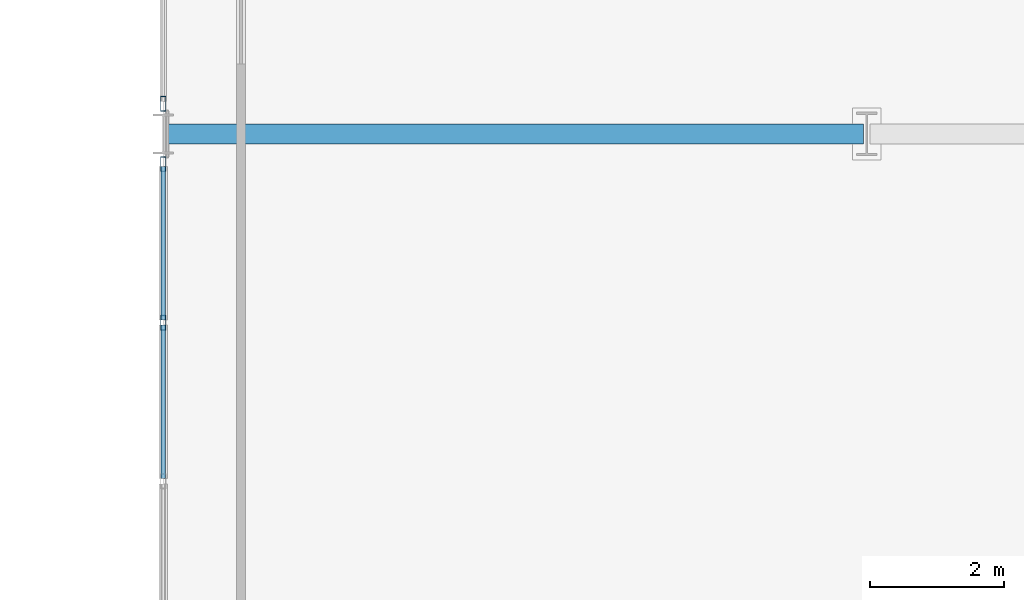
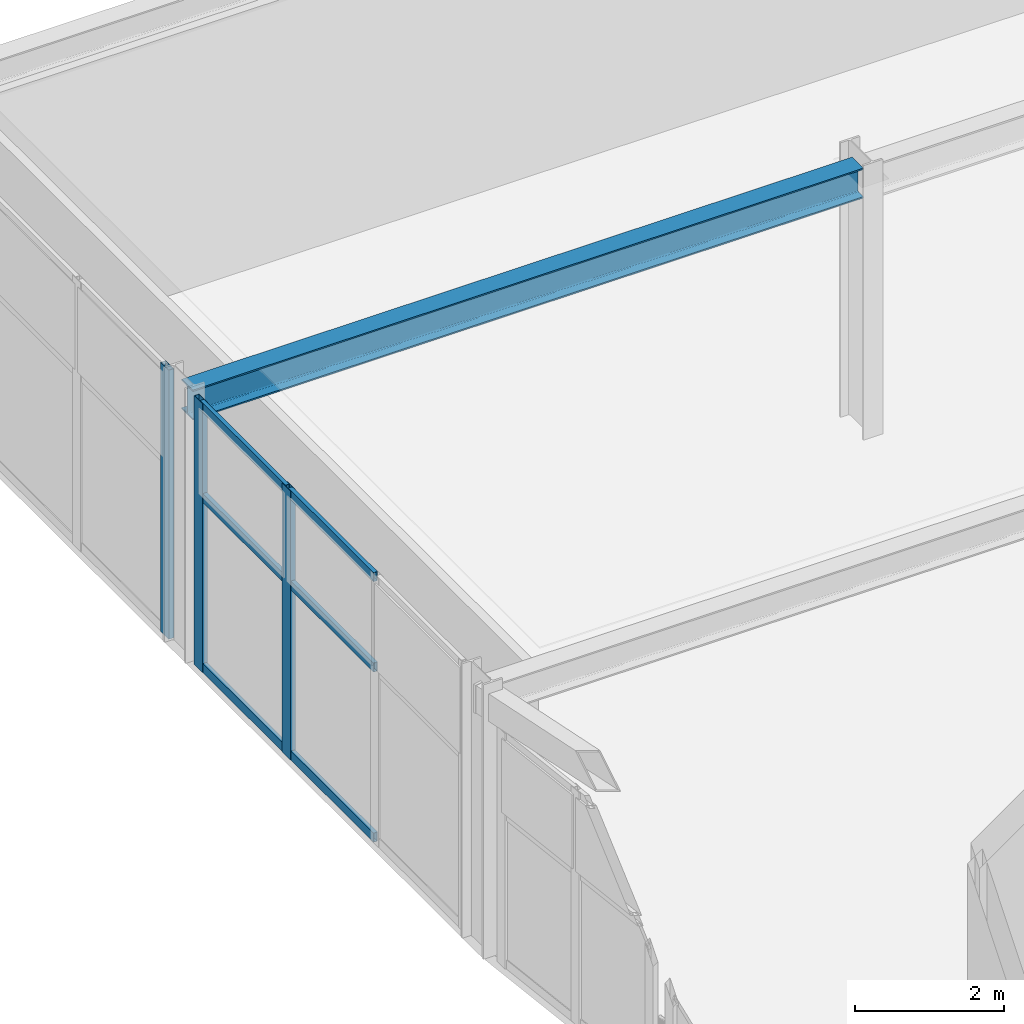
# One storey, part 16 of 105: 9 members, 1 beam, 2 elements without a shape of their own.
"""IFC4 building model written with IfcOpenShell, lengths in metres."""

from ifc_helpers import new_model, si_unit, direction, frame, origin, origin_2d, place, context, subcontext, project, spatial, hollow_rectangle, i_section, extrude, material, layer, layer_set, material_profile, profile_set, type_object, element, aggregate, save


model = new_model("IFC4")

# Units and contexts
model_context = context("Model", 3, precision=1e-05, world=origin(), true_north=direction((0.0, 1.0)))
body_context = subcontext(model_context, "Body", "Model", "MODEL_VIEW")
ifc_project = project(units=[si_unit("LENGTHUNIT", "METRE"), si_unit("AREAUNIT", "SQUARE_METRE"), si_unit("VOLUMEUNIT", "CUBIC_METRE"), si_unit("PLANEANGLEUNIT", "RADIAN"), si_unit("MASSUNIT", "GRAM", prefix="KILO")], contexts=[model_context])

# Site, building, storey
site_placement = place(None, origin())
site = spatial("IfcSite", under=ifc_project, at=site_placement, CompositionType="ELEMENT")
building_placement = place(site_placement, origin())
building = spatial("IfcBuilding", under=site, at=building_placement, Name="Marlcrest Central Station", CompositionType="ELEMENT")
storey_placement = place(building_placement, frame((0.0, 0.0, 15.0)))
storey = spatial("IfcBuildingStorey", under=building, at=storey_placement, Name="L03", CompositionType="ELEMENT", Elevation=15.0)

# Beam
ifc_material_1 = material(Name="Steel S355", Category="steel")
ifc_material_profile_1 = material_profile(ifc_material_1, i_section(OverallWidth=0.300048828125, OverallDepth=0.489990234375, WebThickness=0.011962890625, FlangeThickness=0.02294921875, FilletRadius=0.027099609375, at=origin_2d()), Name="HEA 500")
ifc_profile_set_1 = profile_set([ifc_material_profile_1], Name="Steel S355")
beam_type = type_object("IfcBeamType", Name="BM-10", PredefinedType="BEAM", material=ifc_profile_set_1)
beam_placement = place(storey_placement, frame((87.050048828125, 30.5, 4.074951171875), z_axis=(1.0, 0.0, 0.0), x_axis=(0.0, 1.0, 0.0)))
element("IfcBeam", 1, at=beam_placement, inside=storey, type_object=beam_type, Name="bm-BM-10-L03-01174", PredefinedType="BEAM", context=body_context, shape_type="SweptSolid", body=[
    extrude(i_section(OverallWidth=0.300048828125, OverallDepth=0.489990234375, WebThickness=0.011962890625, FlangeThickness=0.02294921875, FilletRadius=0.027099609375, at=origin_2d()), origin(), (0.0, 0.0, 1.0), 10.39990234375),
])

# Curtain wall, members
ifc_material_2 = material(Name="Anodised aluminium and hurricane laminated glass", Category="aluminium")
ifc_layer = layer(ifc_material_2, 0.219970703125, Name="CW-U1")
ifc_layer_set = layer_set([ifc_layer], Name="Anodised aluminium and hurricane laminated glass")
curtain_wall_type = type_object("IfcCurtainWallType", Name="CW-U1", PredefinedType="USERDEFINED", material=ifc_layer_set)
curtain_wall_1_placement = place(storey_placement, origin())
curtain_wall_1 = element("IfcCurtainWall", 2, at=curtain_wall_1_placement, inside=storey, type_object=curtain_wall_type, Name="cw-L03-0101", ObjectType="UNITISED_CURTAIN_WALL", PredefinedType="USERDEFINED")
ifc_material_3 = material(Name="Anodised aluminium 6063-T6", Category="aluminium")
ifc_material_profile_2 = material_profile(ifc_material_3, hollow_rectangle(XDim=0.080078125, YDim=0.219970703125, WallThickness=0.006103515625, at=origin_2d()), Name="AA-RHS 220x80x6")
ifc_profile_set_2 = profile_set([ifc_material_profile_2], Name="Anodised aluminium 6063-T6")
member_type_1 = type_object("IfcMemberType", Name="ML-01", PredefinedType="MULLION", material=ifc_profile_set_2)
member_1_placement = place(storey_placement, frame((87.0, 27.683349609375, -0.030029296875), z_axis=(0.0, 0.0, 1.0), x_axis=(1.0, 0.0, 0.0)))
member_1 = element("IfcMember", 3, at=member_1_placement, type_object=member_type_1, Name="cw-L03-0101-ml-2", PredefinedType="MULLION", context=body_context, shape_type="SweptSolid", body=[
    extrude(hollow_rectangle(XDim=0.080078125, YDim=0.219970703125, WallThickness=0.006103515625, at=origin_2d()), origin(), (0.0, 0.0, 1.0), 4.409912109375),
])
member_2_placement = place(storey_placement, frame((87.0, 30.050048828125, -0.030029296875), z_axis=(0.0, 0.0, 1.0), x_axis=(1.0, 0.0, 0.0)))
member_2 = element("IfcMember", 4, at=member_2_placement, type_object=member_type_1, Name="cw-L03-0101-ml-3", PredefinedType="MULLION", context=body_context, shape_type="SweptSolid", body=[
    extrude(hollow_rectangle(XDim=0.080078125, YDim=0.219970703125, WallThickness=0.006103515625, at=origin_2d()), origin(), (0.0, 0.0, 1.0), 4.409912109375),
])

# Curtain wall, member
curtain_wall_2_placement = place(storey_placement, origin())
curtain_wall_2 = element("IfcCurtainWall", 5, at=curtain_wall_2_placement, inside=storey, type_object=curtain_wall_type, Name="cw-L03-0105", ObjectType="UNITISED_CURTAIN_WALL", PredefinedType="USERDEFINED")
member_3_placement = place(storey_placement, frame((87.0, 30.949951171875, -0.030029296875), z_axis=(0.0, 0.0, 1.0), x_axis=(1.0, 0.0, 0.0)))
member_3 = element("IfcMember", 6, at=member_3_placement, type_object=member_type_1, Name="cw-L03-0105-ml-0", PredefinedType="MULLION", context=body_context, shape_type="SweptSolid", body=[
    extrude(hollow_rectangle(XDim=0.080078125, YDim=0.219970703125, WallThickness=0.006103515625, at=origin_2d()), origin(), (0.0, 0.0, 1.0), 4.409912109375),
])
aggregate(curtain_wall_2, [member_3])

# Member
ifc_material_profile_3 = material_profile(ifc_material_3, hollow_rectangle(XDim=0.06005859375, YDim=0.14990234375, WallThickness=0.00390625, at=origin_2d()), Name="AA-RHS 150x60x4")
ifc_profile_set_3 = profile_set([ifc_material_profile_3], Name="Anodised aluminium 6063-T6")
member_type_2 = type_object("IfcMemberType", Name="TR-01", PredefinedType="USERDEFINED", material=ifc_profile_set_3)
member_4_placement = place(storey_placement, frame((87.0, 25.354736328125, 0.0400390625), z_axis=(0.0, 1.0, 0.0), x_axis=(-1.0, 0.0, 0.0)))
member_4 = element("IfcMember", 7, at=member_4_placement, type_object=member_type_2, Name="cw-L03-0101-tr-1-sill", ObjectType="TRANSOM", PredefinedType="USERDEFINED", context=body_context, shape_type="SweptSolid", body=[
    extrude(hollow_rectangle(XDim=0.06005859375, YDim=0.14990234375, WallThickness=0.00390625, at=origin_2d()), origin(), (0.0, 0.0, 1.0), 2.29052734375),
])

member_5_placement = place(storey_placement, frame((87.0, 25.354736328125, 2.827880859375), z_axis=(0.0, 1.0, 0.0), x_axis=(-1.0, 0.0, 0.0)))
member_5 = element("IfcMember", 8, at=member_5_placement, type_object=member_type_2, Name="cw-L03-0101-tr-1-mid", ObjectType="TRANSOM", PredefinedType="USERDEFINED", context=body_context, shape_type="SweptSolid", body=[
    extrude(hollow_rectangle(XDim=0.06005859375, YDim=0.14990234375, WallThickness=0.00390625, at=origin_2d()), origin(), (0.0, 0.0, 1.0), 2.29052734375),
])

member_6_placement = place(storey_placement, frame((87.0, 25.354736328125, 4.31005859375), z_axis=(0.0, 1.0, 0.0), x_axis=(-1.0, 0.0, 0.0)))
member_6 = element("IfcMember", 9, at=member_6_placement, type_object=member_type_2, Name="cw-L03-0101-tr-1-head", ObjectType="TRANSOM", PredefinedType="USERDEFINED", context=body_context, shape_type="SweptSolid", body=[
    extrude(hollow_rectangle(XDim=0.06005859375, YDim=0.14990234375, WallThickness=0.00390625, at=origin_2d()), origin(), (0.0, 0.0, 1.0), 2.29052734375),
])

member_7_placement = place(storey_placement, frame((87.0, 27.72119140625, 0.0400390625), z_axis=(0.0, 1.0, 0.0), x_axis=(-1.0, 0.0, 0.0)))
member_7 = element("IfcMember", 10, at=member_7_placement, type_object=member_type_2, Name="cw-L03-0101-tr-2-sill", ObjectType="TRANSOM", PredefinedType="USERDEFINED", context=body_context, shape_type="SweptSolid", body=[
    extrude(hollow_rectangle(XDim=0.06005859375, YDim=0.14990234375, WallThickness=0.00390625, at=origin_2d()), origin(), (0.0, 0.0, 1.0), 2.290771484375),
])

member_8_placement = place(storey_placement, frame((87.0, 27.72119140625, 2.827880859375), z_axis=(0.0, 1.0, 0.0), x_axis=(-1.0, 0.0, 0.0)))
member_8 = element("IfcMember", 11, at=member_8_placement, type_object=member_type_2, Name="cw-L03-0101-tr-2-mid", ObjectType="TRANSOM", PredefinedType="USERDEFINED", context=body_context, shape_type="SweptSolid", body=[
    extrude(hollow_rectangle(XDim=0.06005859375, YDim=0.14990234375, WallThickness=0.00390625, at=origin_2d()), origin(), (0.0, 0.0, 1.0), 2.290771484375),
])

member_9_placement = place(storey_placement, frame((87.0, 27.72119140625, 4.31005859375), z_axis=(0.0, 1.0, 0.0), x_axis=(-1.0, 0.0, 0.0)))
member_9 = element("IfcMember", 12, at=member_9_placement, type_object=member_type_2, Name="cw-L03-0101-tr-2-head", ObjectType="TRANSOM", PredefinedType="USERDEFINED", context=body_context, shape_type="SweptSolid", body=[
    extrude(hollow_rectangle(XDim=0.06005859375, YDim=0.14990234375, WallThickness=0.00390625, at=origin_2d()), origin(), (0.0, 0.0, 1.0), 2.290771484375),
])

aggregate(curtain_wall_1, [member_1, member_2, member_4, member_5, member_6, member_7, member_8, member_9])

save(model, "model.ifc")
